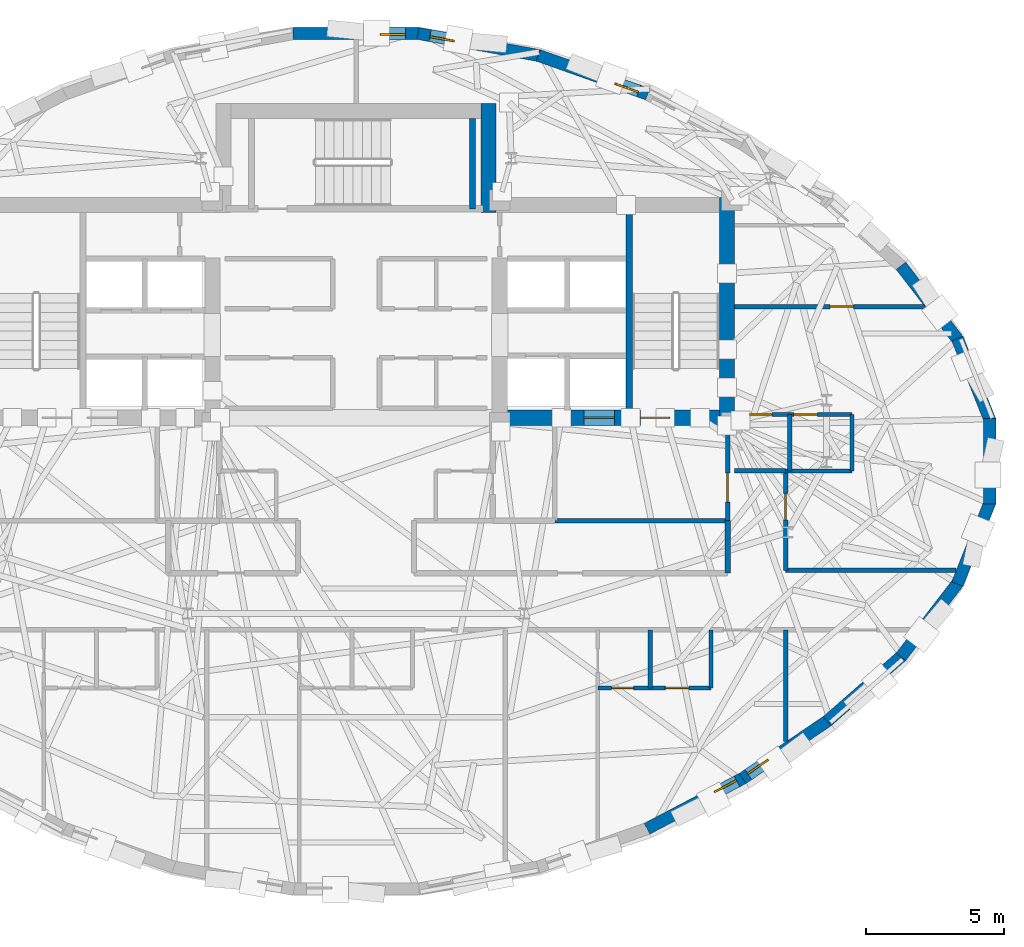
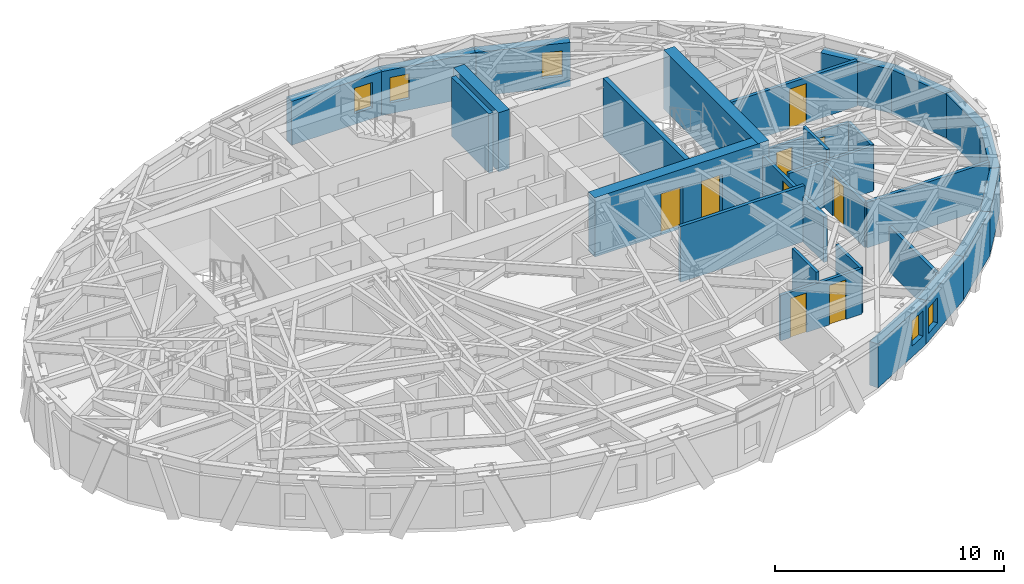
# One storey, part 9 of 13: 31 walls, 9 doors, 5 windows, 14 openings.
"""IFC4 building model written with IfcOpenShell, lengths in metres."""

from ifc_helpers import new_model, si_unit, direction, frame, frame_2d, origin, place, context, subcontext, project, spatial, rectangle, extrude, material, layer, layer_set, type_object, element, fill, save


model = new_model("IFC4")

# Units and contexts
model_context = context("Model", 3, precision=1e-05, world=origin(), true_north=direction((0.0, 1.0)))
body_context = subcontext(model_context, "Body", "Model", "MODEL_VIEW")
ifc_project = project(units=[si_unit("LENGTHUNIT", "METRE"), si_unit("AREAUNIT", "SQUARE_METRE"), si_unit("VOLUMEUNIT", "CUBIC_METRE"), si_unit("PLANEANGLEUNIT", "RADIAN"), si_unit("MASSUNIT", "GRAM", prefix="KILO")], contexts=[model_context])

# Site, building, storey
site_placement = place(None, origin())
site = spatial("IfcSite", under=ifc_project, at=site_placement, CompositionType="ELEMENT")
building_placement = place(site_placement, origin())
building = spatial("IfcBuilding", under=site, at=building_placement, Name="Keldmark Tower", CompositionType="ELEMENT")
storey_placement = place(building_placement, frame((0.0, 0.0, 219.449951171875)))
storey = spatial("IfcBuildingStorey", under=building, at=storey_placement, Name="L61", CompositionType="ELEMENT", Elevation=219.449951171875)

# Walls
ifc_material_1 = material(Name="Heavy Acoustic Plumbing Chase Gypsum Assembly", Category="gypsum")
ifc_layer_1 = layer(ifc_material_1, 0.18994140625)
ifc_layer_set_1 = layer_set([ifc_layer_1], Name="Heavy Acoustic Plumbing Chase Gypsum Assembly")
wall_type_1 = type_object("IfcWallType", Name="Heavy Wet Wall 190 mm", PredefinedType="PLUMBINGWALL", material=ifc_layer_set_1)
wall_1_placement = place(storey_placement, frame((13.449951171875, -4.050048828125, 0.0), z_axis=(0.0, 0.0, 1.0), x_axis=(0.0, 1.0, 0.0)))
element("IfcWall", 1, at=wall_1_placement, inside=storey, type_object=wall_type_1, Name="L61 Heavy Wet Wall 190 mm SPK-E-E", PredefinedType="PLUMBINGWALL", context=body_context, shape_type="SweptSolid", body=[
    extrude(rectangle(XDim=1.900146484375, YDim=0.18994140625, at=frame_2d((0.9501953125, 0.0))), origin(), (0.0, 0.0, 1.0), 2.423095703125),
])
ifc_material_2 = material(Name="Concrete C50/60", Category="concrete")
ifc_layer_2 = layer(ifc_material_2, 0.550048828125)
ifc_layer_set_2 = layer_set([ifc_layer_2], Name="Concrete C50/60")
wall_type_2 = type_object("IfcWallType", Name="High-Rise Core Shear Wall 550 mm", PredefinedType="SHEAR", material=ifc_layer_set_2)
wall_2_placement = place(storey_placement, frame((13.425048828125, 1.300048828125, 0.0), z_axis=(0.0, 0.0, 1.0), x_axis=(0.0, 1.0, 0.0)))
element("IfcWall", 2, at=wall_2_placement, inside=storey, type_object=wall_type_2, Name="L61 East Core Outer Shear Wall", PredefinedType="SHEAR", context=body_context, shape_type="SweptSolid", body=[
    extrude(rectangle(XDim=8.25, YDim=0.550048828125, at=frame_2d((4.125, 0.0))), origin(), (0.0, 0.0, 1.0), 3.150146484375),
])

# Wall, openings, doors
wall_3_placement = place(storey_placement, frame((13.699951171875, 1.574951171875, 0.0), z_axis=(0.0, 0.0, 1.0), x_axis=(-1.0, 0.0, 0.0)))
wall_3 = element("IfcWall", 3, at=wall_3_placement, inside=storey, type_object=wall_type_2, Name="L61 East Core South Shear Wall", PredefinedType="SHEAR", context=body_context, shape_type="SweptSolid", body=[
    extrude(rectangle(XDim=8.77490234375, YDim=0.550048828125, at=frame_2d((4.387451171875, 0.0))), origin(), (0.0, 0.0, 1.0), 3.150146484375),
])
opening_1_placement = place(wall_3_placement, frame((2.35009765625, 0.0, 0.0)))
opening_1 = element("IfcOpeningElement", 4, at=opening_1_placement, cuts=wall_3, Name="Opening D-ST105", PredefinedType="OPENING", context=body_context, shape_type="SweptSolid", body=[
    extrude(rectangle(XDim=1.050048828125, YDim=2.14990234375, at=frame_2d((0.52490234375, 1.074951171875))), frame((0.0, 0.284912109375, 0.0), z_axis=(0.0, -1.0, 0.0), x_axis=(1.0, 0.0, 0.0)), (0.0, 0.0, 1.0), 0.570068359375),
])
opening_2_placement = place(wall_3_placement, frame((4.35009765625, 0.0, 0.0)))
opening_2 = element("IfcOpeningElement", 5, at=opening_2_placement, cuts=wall_3, Name="Opening LD-110", PredefinedType="OPENING", context=body_context, shape_type="SweptSolid", body=[
    extrude(rectangle(XDim=1.10009765625, YDim=2.199951171875, at=frame_2d((0.550048828125, 1.10009765625))), frame((0.0, 0.284912109375, 0.0), z_axis=(0.0, -1.0, 0.0), x_axis=(1.0, 0.0, 0.0)), (0.0, 0.0, 1.0), 0.570068359375),
])
ifc_material_3 = material(Name="Brushed Bronze Hoistway Sliding Leaf", Category="metal")
door_type_1 = type_object("IfcDoorType", Name="Lift Landing Sliding Door 1100x2200", OperationType="SLIDING_TO_LEFT", PredefinedType="DOOR", material=ifc_material_3)
door_1_placement = place(opening_2_placement, origin())
door_1 = element("IfcDoor", 6, at=door_1_placement, inside=storey, type_object=door_type_1, Name="L61 Lift Landing Sliding Door 1100x2200 LD-EL-FS2-L61", OperationType="SLIDING_TO_LEFT", OverallHeight=2.199951171875, OverallWidth=1.10009765625, PredefinedType="DOOR", context=body_context, shape_type="SweptSolid", body=[
    extrude(rectangle(XDim=1.10009765625, YDim=2.199951171875, at=frame_2d((0.550048828125, 1.10009765625))), frame((0.0, 0.02490234375, 0.0), z_axis=(0.0, -1.0, 0.0), x_axis=(1.0, 0.0, 0.0)), (0.0, 0.0, 1.0), 0.050048828125),
])
fill(opening_2, door_1)
ifc_material_4 = material(Name="Hollow Metal Fire-Rated Door Assembly", Category="metal")
door_type_2 = type_object("IfcDoorType", Name="Stair Fire Door 1050x2150", OperationType="NOTDEFINED", PredefinedType="DOOR", material=ifc_material_4)
door_2_placement = place(opening_1_placement, origin())
door_2 = element("IfcDoor", 7, at=door_2_placement, inside=storey, type_object=door_type_2, Name="L61 Stair Fire Door 1050x2150 D-ST2-L61", OperationType="SINGLE_SWING_LEFT", OverallHeight=2.14990234375, OverallWidth=1.050048828125, PredefinedType="DOOR", context=body_context, shape_type="SweptSolid", body=[
    extrude(rectangle(XDim=1.050048828125, YDim=2.14990234375, at=frame_2d((0.52490234375, 1.074951171875))), frame((0.0, 0.02490234375, 0.0), z_axis=(0.0, -1.0, 0.0), x_axis=(1.0, 0.0, 0.0)), (0.0, 0.0, 1.0), 0.050048828125),
])
fill(opening_1, door_2)

# Walls
wall_4_placement = place(storey_placement, frame((4.800048828125, 9.0, 0.0), z_axis=(0.0, 0.0, 1.0), x_axis=(0.0, 1.0, 0.0)))
element("IfcWall", 8, at=wall_4_placement, inside=storey, type_object=wall_type_2, Name="L61 North Core East Shear Wall", PredefinedType="SHEAR", context=body_context, shape_type="SweptSolid", body=[
    extrude(rectangle(XDim=3.949951171875, YDim=0.550048828125, at=frame_2d((1.97509765625, 0.0))), origin(), (0.0, 0.0, 1.0), 3.150146484375),
])
ifc_material_5 = material(Name="Type X Fire-Rated Gypsum Partition Assembly", Category="gypsum")
ifc_layer_3 = layer(ifc_material_5, 0.1650390625)
ifc_layer_set_3 = layer_set([ifc_layer_3], Name="Type X Fire-Rated Gypsum Partition Assembly")
wall_type_3 = type_object("IfcWallType", Name="Rated Partition 165 mm", PredefinedType="PARTITIONING", material=ifc_layer_set_3)
wall_5_placement = place(storey_placement, frame((7.199951171875, -2.14990234375, 0.0), z_axis=(0.0, 0.0, 1.0), x_axis=(1.0, 0.0, 0.0)))
element("IfcWall", 9, at=wall_5_placement, inside=storey, type_object=wall_type_3, Name="L61 Rated Partition 165 mm FSAE-E-S", PredefinedType="PARTITIONING", context=body_context, shape_type="SweptSolid", body=[
    extrude(rectangle(XDim=6.25, YDim=0.1650390625, at=frame_2d((3.125, 0.0))), origin(), (0.0, 0.0, 1.0), 2.969970703125),
])

# Wall, opening, door
wall_6_placement = place(storey_placement, frame((13.449951171875, -2.14990234375, 0.0), z_axis=(0.0, 0.0, 1.0), x_axis=(0.0, 1.0, 0.0)))
wall_6 = element("IfcWall", 10, at=wall_6_placement, inside=storey, type_object=wall_type_3, Name="L61 Rated Partition 165 mm FSAE-E-E", PredefinedType="PARTITIONING", context=body_context, shape_type="SweptSolid", body=[
    extrude(rectangle(XDim=3.5, YDim=0.1650390625, at=frame_2d((1.75, 0.0))), origin(), (0.0, 0.0, 1.0), 2.423095703125),
])
opening_3_placement = place(wall_6_placement, frame((0.669921875, 0.0, 0.0)))
opening_3 = element("IfcOpeningElement", 11, at=opening_3_placement, cuts=wall_6, Name="Opening D-FL105", PredefinedType="OPENING", context=body_context, shape_type="SweptSolid", body=[
    extrude(rectangle(XDim=1.050048828125, YDim=2.14990234375, at=frame_2d((0.52490234375, 1.074951171875))), frame((0.0, 0.092529296875, 0.0), z_axis=(0.0, -1.0, 0.0), x_axis=(1.0, 0.0, 0.0)), (0.0, 0.0, 1.0), 0.18505859375),
])
ifc_material_6 = material(Name="Fire-Rated Mineral-Core Door and Vision Lite", Category="metal")
door_type_3 = type_object("IfcDoorType", Name="Fire Lobby Door 1050x2150", OperationType="NOTDEFINED", PredefinedType="DOOR", material=ifc_material_6)
door_3_placement = place(opening_3_placement, origin())
door_3 = element("IfcDoor", 12, at=door_3_placement, inside=storey, type_object=door_type_3, Name="L61 Fire Lobby Door 1050x2150 D-FSAEE-OUT-L61", OperationType="SINGLE_SWING_RIGHT", OverallHeight=2.14990234375, OverallWidth=1.050048828125, PredefinedType="DOOR", context=body_context, shape_type="SweptSolid", body=[
    extrude(rectangle(XDim=1.050048828125, YDim=2.14990234375, at=frame_2d((0.52490234375, 1.074951171875))), frame((0.0, 0.02490234375, 0.0), z_axis=(0.0, -1.0, 0.0), x_axis=(1.0, 0.0, 0.0)), (0.0, 0.0, 1.0), 0.050048828125),
])
fill(opening_3, door_3)

# Wall
wall_7_placement = place(storey_placement, frame((15.550048828125, -3.949951171875, 0.0), z_axis=(0.0, 0.0, 1.0), x_axis=(1.0, 0.0, 0.0)))
element("IfcWall", 13, at=wall_7_placement, inside=storey, type_object=wall_type_3, Name="L61 Rated Partition 165 mm RCOR-EN-OUT", PredefinedType="PARTITIONING", context=body_context, shape_type="SweptSolid", body=[
    extrude(rectangle(XDim=6.165771484375, YDim=0.1650390625, at=frame_2d((3.0830078125, 0.0))), origin(), (0.0, 0.0, 1.0), 2.423095703125),
])

# Wall, opening, door
wall_8_placement = place(storey_placement, frame((15.550048828125, -3.949951171875, 0.0), z_axis=(0.0, 0.0, 1.0), x_axis=(0.0, 1.0, 0.0)))
wall_8 = element("IfcWall", 14, at=wall_8_placement, inside=storey, type_object=wall_type_3, Name="L61 Rated Partition 165 mm RCOR-VE", PredefinedType="PARTITIONING", context=body_context, shape_type="SweptSolid", body=[
    extrude(rectangle(XDim=3.599853515625, YDim=0.1650390625, at=frame_2d((1.7998046875, 0.0))), origin(), (0.0, 0.0, 1.0), 2.35693359375),
])
opening_4_placement = place(wall_8_placement, frame((1.830078125, 0.0, 0.0)))
opening_4 = element("IfcOpeningElement", 15, at=opening_4_placement, cuts=wall_8, Name="Opening D-AP095", PredefinedType="OPENING", context=body_context, shape_type="SweptSolid", body=[
    extrude(rectangle(XDim=0.949951171875, YDim=2.14990234375, at=frame_2d((0.47509765625, 1.074951171875))), frame((0.0, 0.092529296875, 0.0), z_axis=(0.0, -1.0, 0.0), x_axis=(1.0, 0.0, 0.0)), (0.0, 0.0, 1.0), 0.18505859375),
])
ifc_material_7 = material(Name="Solid-Core Walnut Fire-Rated Entry Assembly", Category="wood")
door_type_4 = type_object("IfcDoorType", Name="Apartment Entry Door 950x2150", OperationType="NOTDEFINED", PredefinedType="DOOR", material=ifc_material_7)
door_4_placement = place(opening_4_placement, origin())
door_4 = element("IfcDoor", 16, at=door_4_placement, inside=storey, type_object=door_type_4, Name="L61 Apartment Entry Door 950x2150 D-UE-ENT-L61", OperationType="SINGLE_SWING_RIGHT", OverallHeight=2.14990234375, OverallWidth=0.949951171875, PredefinedType="DOOR", context=body_context, shape_type="SweptSolid", body=[
    extrude(rectangle(XDim=0.949951171875, YDim=2.14990234375, at=frame_2d((0.47509765625, 1.074951171875))), frame((0.0, 0.02490234375, 0.0), z_axis=(0.0, -1.0, 0.0), x_axis=(1.0, 0.0, 0.0)), (0.0, 0.0, 1.0), 0.050048828125),
])
fill(opening_4, door_4)

# Wall
wall_9_placement = place(storey_placement, frame((13.699951171875, -0.35009765625, 0.0), z_axis=(0.0, 0.0, 1.0), x_axis=(1.0, 0.0, 0.0)))
element("IfcWall", 17, at=wall_9_placement, inside=storey, type_object=wall_type_3, Name="L61 Rated Partition 165 mm RCOR-VEN", PredefinedType="PARTITIONING", context=body_context, shape_type="SweptSolid", body=[
    extrude(rectangle(XDim=1.85009765625, YDim=0.1650390625, at=frame_2d((0.925048828125, 0.0))), origin(), (0.0, 0.0, 1.0), 2.423095703125),
])

# Wall, opening, door
wall_10_placement = place(storey_placement, frame((13.699951171875, 5.60009765625, 0.0), z_axis=(0.0, 0.0, 1.0), x_axis=(1.0, 0.0, 0.0)))
wall_10 = element("IfcWall", 18, at=wall_10_placement, inside=storey, type_object=wall_type_3, Name="L61 Rated Partition 165 mm RE-NDIV", PredefinedType="PARTITIONING", context=body_context, shape_type="SweptSolid", body=[
    extrude(rectangle(XDim=6.87353515625, YDim=0.1650390625, at=frame_2d((3.436767578125, 0.0))), origin(), (0.0, 0.0, 1.0), 2.423095703125),
])
opening_5_placement = place(wall_10_placement, frame((3.4580078125, 0.0, 0.0)))
opening_5 = element("IfcOpeningElement", 19, at=opening_5_placement, cuts=wall_10, Name="Opening D-BR085", PredefinedType="OPENING", context=body_context, shape_type="SweptSolid", body=[
    extrude(rectangle(XDim=0.85009765625, YDim=2.10009765625, at=frame_2d((0.425048828125, 1.050048828125))), frame((0.0, 0.092529296875, 0.0), z_axis=(0.0, -1.0, 0.0), x_axis=(1.0, 0.0, 0.0)), (0.0, 0.0, 1.0), 0.18505859375),
])
ifc_material_8 = material(Name="Solid-Core Stained Walnut Wood", Category="wood")
door_type_5 = type_object("IfcDoorType", Name="Bedroom Door 850x2100", OperationType="NOTDEFINED", PredefinedType="DOOR", material=ifc_material_8)
door_5_placement = place(opening_5_placement, origin())
door_5 = element("IfcDoor", 20, at=door_5_placement, inside=storey, type_object=door_type_5, Name="L61 Bedroom Door 850x2100 D-UE-BR1-L61", OperationType="SINGLE_SWING_LEFT", OverallHeight=2.10009765625, OverallWidth=0.85009765625, PredefinedType="DOOR", context=body_context, shape_type="SweptSolid", body=[
    extrude(rectangle(XDim=0.85009765625, YDim=2.10009765625, at=frame_2d((0.425048828125, 1.050048828125))), frame((0.0, 0.02490234375, 0.0), z_axis=(0.0, -1.0, 0.0), x_axis=(1.0, 0.0, 0.0)), (0.0, 0.0, 1.0), 0.050048828125),
])
fill(opening_5, door_5)

# Walls
wall_11_placement = place(storey_placement, frame((15.550048828125, -10.1494140625, 0.0), z_axis=(0.0, 0.0, 1.0), x_axis=(0.0, 1.0, 0.0)))
element("IfcWall", 21, at=wall_11_placement, inside=storey, type_object=wall_type_3, Name="L61 Rated Partition 165 mm RS-ECAP", PredefinedType="PARTITIONING", context=body_context, shape_type="SweptSolid", body=[
    extrude(rectangle(XDim=4.04931640625, YDim=0.1650390625, at=frame_2d((2.024658203125, 0.0))), origin(), (0.0, 0.0, 1.0), 2.423095703125),
])
ifc_material_9 = material(Name="Concrete C50/60", Category="concrete")
ifc_layer_4 = layer(ifc_material_9, 0.219970703125)
ifc_layer_set_4 = layer_set([ifc_layer_4], Name="Concrete C50/60")
wall_type_4 = type_object("IfcWallType", Name="Stair Core Shear Wall 220 mm", PredefinedType="SHEAR", material=ifc_layer_set_4)
wall_12_placement = place(storey_placement, frame((9.889892578125, 1.85009765625, 0.0), z_axis=(0.0, 0.0, 1.0), x_axis=(0.0, 1.0, 0.0)))
element("IfcWall", 22, at=wall_12_placement, inside=storey, type_object=wall_type_4, Name="L61 East Stair Core Shear Wall", PredefinedType="SHEAR", context=body_context, shape_type="SweptSolid", body=[
    extrude(rectangle(XDim=7.14990234375, YDim=0.219970703125, at=frame_2d((3.574951171875, 0.0))), origin(), (0.0, 0.0, 1.0), 3.150146484375),
])
wall_13_placement = place(storey_placement, frame((4.215087890625, 9.139892578125, 0.0), z_axis=(0.0, 0.0, 1.0), x_axis=(0.0, 1.0, 0.0)))
element("IfcWall", 23, at=wall_13_placement, inside=storey, type_object=wall_type_4, Name="L61 Central Stair Core East Shear Wall", PredefinedType="SHEAR", context=body_context, shape_type="SweptSolid", body=[
    extrude(rectangle(XDim=3.260009765625, YDim=0.219970703125, at=frame_2d((1.6298828125, 0.0))), origin(), (0.0, 0.0, 1.0), 3.150146484375),
])
ifc_material_10 = material(Name="Ironspot Manganese Brick and Kasota Buff Limestone Spandrel Assembly", Category="masonry")
ifc_layer_5 = layer(ifc_material_10, 0.43994140625)
ifc_layer_set_5 = layer_set([ifc_layer_5], Name="Ironspot Manganese Brick and Kasota Buff Limestone Spandrel Assembly")
wall_type_5 = type_object("IfcWallType", Name="Tower Brick Pier and Spandrel Wall 440 mm", PredefinedType="STANDARD", material=ifc_layer_set_5)
wall_14_placement = place(storey_placement, frame((21.76611328125, 4.438232421875, 0.0), z_axis=(0.0, 0.0, 1.0), x_axis=(0.371272350835, -0.928524012347, 0.0)))
element("IfcWall", 24, at=wall_14_placement, inside=storey, type_object=wall_type_5, Name="L61 Exterior Brick and Spandrel Wall 01", PredefinedType="STANDARD", context=body_context, shape_type="SweptSolid", body=[
    extrude(rectangle(XDim=3.20166015625, YDim=0.43994140625, at=frame_2d((1.600830078125, 0.0))), origin(), (0.0, 0.0, 1.0), 2.3359375),
])
wall_15_placement = place(storey_placement, frame((19.72265625, 7.07861328125, 0.0), z_axis=(0.0, 0.0, 1.0), x_axis=(0.61008909013, -0.792332822811, 0.0)))
element("IfcWall", 25, at=wall_15_placement, inside=storey, type_object=wall_type_5, Name="L61 Exterior Brick and Spandrel Wall 02", PredefinedType="STANDARD", context=body_context, shape_type="SweptSolid", body=[
    extrude(rectangle(XDim=3.398681640625, YDim=0.43994140625, at=frame_2d((1.69921875, 0.0))), origin(), (0.0, 0.0, 1.0), 2.3359375),
])

# Wall, opening, window
wall_16_placement = place(storey_placement, frame((6.59130859375, 14.693115234375, 0.0), z_axis=(0.0, 0.0, 1.0), x_axis=(0.942617344196, -0.333875040128, 0.0)))
wall_16 = element("IfcWall", 26, at=wall_16_placement, inside=storey, type_object=wall_type_5, Name="L61 Exterior Brick and Spandrel Wall 06", PredefinedType="STANDARD", context=body_context, shape_type="SweptSolid", body=[
    extrude(rectangle(XDim=4.2119140625, YDim=0.43994140625, at=frame_2d((2.10595703125, 0.0))), origin(), (0.0, 0.0, 1.0), 2.3359375),
])
opening_6_placement = place(wall_16_placement, frame((2.964111328125, 0.0, 0.580078125)))
opening_6 = element("IfcOpeningElement", 27, at=opening_6_placement, cuts=wall_16, Name="Opening W-09", PredefinedType="OPENING", context=body_context, shape_type="SweptSolid", body=[
    extrude(rectangle(XDim=0.89990234375, YDim=1.35009765625, at=frame_2d((0.449951171875, 0.675048828125))), frame((0.0, 0.22998046875, 0.0), z_axis=(0.0, -1.0, 0.0), x_axis=(1.0, 0.0, 0.0)), (0.0, 0.0, 1.0), 0.4599609375),
])
ifc_material_11 = material(Name="Thermally Broken Anodized Aluminum and Triple Low-E Argon Glazing", Category="aluminium")
window_type = type_object("IfcWindowType", Name="Corner Pier Deep-Set Window 900x1350", PartitioningType="SINGLE_PANEL", PredefinedType="WINDOW", material=ifc_material_11)
window_1_placement = place(opening_6_placement, origin())
window_1 = element("IfcWindow", 28, at=window_1_placement, inside=storey, type_object=window_type, Name="L61 Deep-Set Window 06", OverallHeight=1.35009765625, OverallWidth=0.89990234375, PartitioningType="SINGLE_PANEL", PredefinedType="WINDOW", context=body_context, shape_type="SweptSolid", body=[
    extrude(rectangle(XDim=0.89990234375, YDim=1.35009765625, at=frame_2d((0.449951171875, 0.675048828125))), frame((0.0, -0.010009765625, 0.0), z_axis=(0.0, -1.0, 0.0), x_axis=(1.0, 0.0, 0.0)), (0.0, 0.0, 1.0), 0.06005859375),
])
fill(opening_6, window_1)

wall_17_placement = place(storey_placement, frame((2.2412109375, 15.490234375, 0.0), z_axis=(0.0, 0.0, 1.0), x_axis=(0.983508612793, -0.180861296472, 0.0)))
wall_17 = element("IfcWall", 29, at=wall_17_placement, inside=storey, type_object=wall_type_5, Name="L61 Exterior Brick and Spandrel Wall 07", PredefinedType="STANDARD", context=body_context, shape_type="SweptSolid", body=[
    extrude(rectangle(XDim=4.457275390625, YDim=0.43994140625, at=frame_2d((2.228515625, 0.0))), origin(), (0.0, 0.0, 1.0), 2.3359375),
])
opening_7_placement = place(wall_17_placement, frame((0.44677734375, 0.0, 0.580078125)))
opening_7 = element("IfcOpeningElement", 30, at=opening_7_placement, cuts=wall_17, Name="Opening W-09", PredefinedType="OPENING", context=body_context, shape_type="SweptSolid", body=[
    extrude(rectangle(XDim=0.89990234375, YDim=1.35009765625, at=frame_2d((0.449951171875, 0.675048828125))), frame((0.0, 0.22998046875, 0.0), z_axis=(0.0, -1.0, 0.0), x_axis=(1.0, 0.0, 0.0)), (0.0, 0.0, 1.0), 0.4599609375),
])
window_2_placement = place(opening_7_placement, origin())
window_2 = element("IfcWindow", 31, at=window_2_placement, inside=storey, type_object=window_type, Name="L61 Deep-Set Window 07", OverallHeight=1.35009765625, OverallWidth=0.89990234375, PartitioningType="SINGLE_PANEL", PredefinedType="WINDOW", context=body_context, shape_type="SweptSolid", body=[
    extrude(rectangle(XDim=0.89990234375, YDim=1.35009765625, at=frame_2d((0.449951171875, 0.675048828125))), frame((0.0, -0.010009765625, 0.0), z_axis=(0.0, -1.0, 0.0), x_axis=(1.0, 0.0, 0.0)), (0.0, 0.0, 1.0), 0.06005859375),
])
fill(opening_7, window_2)

wall_18_placement = place(storey_placement, frame((-2.281005859375, 15.48681640625, 0.0), z_axis=(0.0, 0.0, 1.0), x_axis=(1.0, 0.0, 0.0)))
wall_18 = element("IfcWall", 32, at=wall_18_placement, inside=storey, type_object=wall_type_5, Name="L61 Exterior Brick and Spandrel Wall 08", PredefinedType="STANDARD", context=body_context, shape_type="SweptSolid", body=[
    extrude(rectangle(XDim=4.56201171875, YDim=0.43994140625, at=frame_2d((2.281005859375, 0.0))), origin(), (0.0, 0.0, 1.0), 2.3359375),
])
opening_8_placement = place(wall_18_placement, frame((3.16552734375, 0.0, 0.580078125)))
opening_8 = element("IfcOpeningElement", 33, at=opening_8_placement, cuts=wall_18, Name="Opening W-09", PredefinedType="OPENING", context=body_context, shape_type="SweptSolid", body=[
    extrude(rectangle(XDim=0.89990234375, YDim=1.35009765625, at=frame_2d((0.449951171875, 0.675048828125))), frame((0.0, 0.22998046875, 0.0), z_axis=(0.0, -1.0, 0.0), x_axis=(1.0, 0.0, 0.0)), (0.0, 0.0, 1.0), 0.4599609375),
])
window_3_placement = place(opening_8_placement, origin())
window_3 = element("IfcWindow", 34, at=window_3_placement, inside=storey, type_object=window_type, Name="L61 Deep-Set Window 08", OverallHeight=1.35009765625, OverallWidth=0.89990234375, PartitioningType="SINGLE_PANEL", PredefinedType="WINDOW", context=body_context, shape_type="SweptSolid", body=[
    extrude(rectangle(XDim=0.89990234375, YDim=1.35009765625, at=frame_2d((0.449951171875, 0.675048828125))), frame((0.0, -0.010009765625, 0.0), z_axis=(0.0, -1.0, 0.0), x_axis=(1.0, 0.0, 0.0)), (0.0, 0.0, 1.0), 0.06005859375),
])
fill(opening_8, window_3)

wall_19_placement = place(storey_placement, frame((14.01220703125, -11.469482421875, 0.0), z_axis=(0.0, 0.0, 1.0), x_axis=(-0.885047506895, -0.465500709493, 0.0)))
wall_19 = element("IfcWall", 35, at=wall_19_placement, inside=storey, type_object=wall_type_5, Name="L61 Exterior Brick and Spandrel Wall 27", PredefinedType="STANDARD", context=body_context, shape_type="SweptSolid", body=[
    extrude(rectangle(XDim=3.931396484375, YDim=0.43994140625, at=frame_2d((1.9658203125, 0.0))), origin(), (0.0, 0.0, 1.0), 2.3359375),
])
opening_9_placement = place(wall_19_placement, frame((0.24951171875, 0.0, 0.580078125)))
opening_9 = element("IfcOpeningElement", 36, at=opening_9_placement, cuts=wall_19, Name="Opening W-09", PredefinedType="OPENING", context=body_context, shape_type="SweptSolid", body=[
    extrude(rectangle(XDim=0.89990234375, YDim=1.35009765625, at=frame_2d((0.449951171875, 0.675048828125))), frame((0.0, 0.22998046875, 0.0), z_axis=(0.0, -1.0, 0.0), x_axis=(1.0, 0.0, 0.0)), (0.0, 0.0, 1.0), 0.4599609375),
])
window_4_placement = place(opening_9_placement, origin())
window_4 = element("IfcWindow", 37, at=window_4_placement, inside=storey, type_object=window_type, Name="L61 Deep-Set Window 27", OverallHeight=1.35009765625, OverallWidth=0.89990234375, PartitioningType="SINGLE_PANEL", PredefinedType="WINDOW", context=body_context, shape_type="SweptSolid", body=[
    extrude(rectangle(XDim=0.89990234375, YDim=1.35009765625, at=frame_2d((0.449951171875, 0.675048828125))), frame((0.0, -0.010009765625, 0.0), z_axis=(0.0, -1.0, 0.0), x_axis=(1.0, 0.0, 0.0)), (0.0, 0.0, 1.0), 0.06005859375),
])
fill(opening_9, window_4)

wall_20_placement = place(storey_placement, frame((17.0751953125, -9.390380859375, 0.0), z_axis=(0.0, 0.0, 1.0), x_axis=(-0.827609463482, -0.56130435234, 0.0)))
wall_20 = element("IfcWall", 38, at=wall_20_placement, inside=storey, type_object=wall_type_5, Name="L61 Exterior Brick and Spandrel Wall 28", PredefinedType="STANDARD", context=body_context, shape_type="SweptSolid", body=[
    extrude(rectangle(XDim=3.7265625, YDim=0.43994140625, at=frame_2d((1.86328125, 0.0))), origin(), (0.0, 0.0, 1.0), 2.3359375),
])
opening_10_placement = place(wall_20_placement, frame((2.576904296875, 0.0, 0.419921875)))
opening_10 = element("IfcOpeningElement", 39, at=opening_10_placement, cuts=wall_20, Name="Opening W-09", PredefinedType="OPENING", context=body_context, shape_type="SweptSolid", body=[
    extrude(rectangle(XDim=0.89990234375, YDim=1.35009765625, at=frame_2d((0.449951171875, 0.675048828125))), frame((0.0, 0.22998046875, 0.0), z_axis=(0.0, -1.0, 0.0), x_axis=(1.0, 0.0, 0.0)), (0.0, 0.0, 1.0), 0.4599609375),
])
window_5_placement = place(opening_10_placement, origin())
window_5 = element("IfcWindow", 40, at=window_5_placement, inside=storey, type_object=window_type, Name="L61 Deep-Set Window 28", OverallHeight=1.35009765625, OverallWidth=0.89990234375, PartitioningType="SINGLE_PANEL", PredefinedType="WINDOW", context=body_context, shape_type="SweptSolid", body=[
    extrude(rectangle(XDim=0.89990234375, YDim=1.35009765625, at=frame_2d((0.449951171875, 0.675048828125))), frame((0.0, -0.010009765625, 0.0), z_axis=(0.0, -1.0, 0.0), x_axis=(1.0, 0.0, 0.0)), (0.0, 0.0, 1.0), 0.06005859375),
])
fill(opening_10, window_5)

# Walls
wall_21_placement = place(storey_placement, frame((19.752197265625, -7.047119140625, 0.0), z_axis=(0.0, 0.0, 1.0), x_axis=(-0.752758077019, -0.658297256172, 0.0)))
element("IfcWall", 41, at=wall_21_placement, inside=storey, type_object=wall_type_5, Name="L61 Exterior Brick and Spandrel Wall 29", PredefinedType="STANDARD", context=body_context, shape_type="SweptSolid", body=[
    extrude(rectangle(XDim=3.584716796875, YDim=0.43994140625, at=frame_2d((1.79248046875, 0.0))), origin(), (0.0, 0.0, 1.0), 2.3359375),
])
wall_22_placement = place(storey_placement, frame((21.796142578125, -4.3857421875, 0.0), z_axis=(0.0, 0.0, 1.0), x_axis=(-0.61008909013, -0.792332822811, 0.0)))
element("IfcWall", 42, at=wall_22_placement, inside=storey, type_object=wall_type_5, Name="L61 Exterior Brick and Spandrel Wall 30", PredefinedType="STANDARD", context=body_context, shape_type="SweptSolid", body=[
    extrude(rectangle(XDim=3.398681640625, YDim=0.43994140625, at=frame_2d((1.69921875, 0.0))), origin(), (0.0, 0.0, 1.0), 2.3359375),
])
wall_23_placement = place(storey_placement, frame((22.954833984375, -1.46533203125, 0.0), z_axis=(0.0, 0.0, 1.0), x_axis=(-0.371272350835, -0.928524012347, 0.0)))
element("IfcWall", 43, at=wall_23_placement, inside=storey, type_object=wall_type_5, Name="L61 Exterior Brick and Spandrel Wall 31", PredefinedType="STANDARD", context=body_context, shape_type="SweptSolid", body=[
    extrude(rectangle(XDim=3.20166015625, YDim=0.43994140625, at=frame_2d((1.600830078125, 0.0))), origin(), (0.0, 0.0, 1.0), 2.3359375),
])
wall_24_placement = place(storey_placement, frame((22.939208984375, 1.547119140625, 0.0), z_axis=(0.0, 0.0, 1.0), x_axis=(0.0, -1.0, 0.0)))
element("IfcWall", 44, at=wall_24_placement, inside=storey, type_object=wall_type_5, Name="L61 Exterior Brick and Spandrel Wall 32", PredefinedType="STANDARD", context=body_context, shape_type="SweptSolid", body=[
    extrude(rectangle(XDim=3.09423828125, YDim=0.43994140625, at=frame_2d((1.547119140625, 0.0))), origin(), (0.0, 0.0, 1.0), 2.3359375),
])

# Wall, openings, doors
ifc_material_12 = material(Name="Moisture-Resistant Gypsum Plumbing Partition", Category="gypsum")
ifc_layer_6 = layer(ifc_material_12, 0.14990234375)
ifc_layer_set_6 = layer_set([ifc_layer_6], Name="Moisture-Resistant Gypsum Plumbing Partition")
wall_type_6 = type_object("IfcWallType", Name="Wet Wall 150 mm", PredefinedType="PLUMBINGWALL", material=ifc_layer_set_6)
wall_25_placement = place(storey_placement, frame((8.75, -8.199951171875, 0.0), z_axis=(0.0, 0.0, 1.0), x_axis=(1.0, 0.0, 0.0)))
wall_25 = element("IfcWall", 45, at=wall_25_placement, inside=storey, type_object=wall_type_6, Name="L61 Wet Wall 150 mm UC-BK-S", PredefinedType="PLUMBINGWALL", context=body_context, shape_type="SweptSolid", body=[
    extrude(rectangle(XDim=4.10009765625, YDim=0.14990234375, at=frame_2d((2.050048828125, 0.0))), origin(), (0.0, 0.0, 1.0), 2.423095703125),
])
opening_11_placement = place(wall_25_placement, frame((0.5, 0.0, 0.0)))
opening_11 = element("IfcOpeningElement", 46, at=opening_11_placement, cuts=wall_25, Name="Opening D-BT080", PredefinedType="OPENING", context=body_context, shape_type="SweptSolid", body=[
    extrude(rectangle(XDim=0.800048828125, YDim=2.10009765625, at=frame_2d((0.39990234375, 1.050048828125))), frame((0.0, 0.0849609375, 0.0), z_axis=(0.0, -1.0, 0.0), x_axis=(1.0, 0.0, 0.0)), (0.0, 0.0, 1.0), 0.169921875),
])
opening_12_placement = place(wall_25_placement, frame((2.449951171875, 0.0, 0.0)))
opening_12 = element("IfcOpeningElement", 47, at=opening_12_placement, cuts=wall_25, Name="Opening D-IN085", PredefinedType="OPENING", context=body_context, shape_type="SweptSolid", body=[
    extrude(rectangle(XDim=0.85009765625, YDim=2.10009765625, at=frame_2d((0.425048828125, 1.050048828125))), frame((0.0, 0.0849609375, 0.0), z_axis=(0.0, -1.0, 0.0), x_axis=(1.0, 0.0, 0.0)), (0.0, 0.0, 1.0), 0.169921875),
])
ifc_material_13 = material(Name="Moisture-Sealed Stained Wood", Category="wood")
door_type_6 = type_object("IfcDoorType", Name="Bathroom Door 800x2100", OperationType="NOTDEFINED", PredefinedType="DOOR", material=ifc_material_13)
door_6_placement = place(opening_11_placement, origin())
door_6 = element("IfcDoor", 48, at=door_6_placement, inside=storey, type_object=door_type_6, Name="L61 Bathroom Door 800x2100 D-UC-BATH-L61", OperationType="SINGLE_SWING_LEFT", OverallHeight=2.10009765625, OverallWidth=0.800048828125, PredefinedType="DOOR", context=body_context, shape_type="SweptSolid", body=[
    extrude(rectangle(XDim=0.800048828125, YDim=2.10009765625, at=frame_2d((0.39990234375, 1.050048828125))), frame((0.0, 0.02490234375, 0.0), z_axis=(0.0, -1.0, 0.0), x_axis=(1.0, 0.0, 0.0)), (0.0, 0.0, 1.0), 0.050048828125),
])
fill(opening_11, door_6)
ifc_material_14 = material(Name="Painted Architectural Wood", Category="wood")
door_type_7 = type_object("IfcDoorType", Name="Interior Door 850x2100", OperationType="NOTDEFINED", PredefinedType="DOOR", material=ifc_material_14)
door_7_placement = place(opening_12_placement, origin())
door_7 = element("IfcDoor", 49, at=door_7_placement, inside=storey, type_object=door_type_7, Name="L61 Interior Door 850x2100 D-UC-KIT-L61", OperationType="SINGLE_SWING_RIGHT", OverallHeight=2.10009765625, OverallWidth=0.85009765625, PredefinedType="DOOR", context=body_context, shape_type="SweptSolid", body=[
    extrude(rectangle(XDim=0.85009765625, YDim=2.10009765625, at=frame_2d((0.425048828125, 1.050048828125))), frame((0.0, 0.02490234375, 0.0), z_axis=(0.0, -1.0, 0.0), x_axis=(1.0, 0.0, 0.0)), (0.0, 0.0, 1.0), 0.050048828125),
])
fill(opening_12, door_7)

# Walls
wall_26_placement = place(storey_placement, frame((10.64990234375, -8.199951171875, 0.0), z_axis=(0.0, 0.0, 1.0), x_axis=(0.0, 1.0, 0.0)))
element("IfcWall", 50, at=wall_26_placement, inside=storey, type_object=wall_type_6, Name="L61 Wet Wall 150 mm UC-BK-M", PredefinedType="PLUMBINGWALL", context=body_context, shape_type="SweptSolid", body=[
    extrude(rectangle(XDim=2.099853515625, YDim=0.14990234375, at=frame_2d((1.0498046875, 0.0))), origin(), (0.0, 0.0, 1.0), 2.969970703125),
])
wall_27_placement = place(storey_placement, frame((12.85009765625, -8.199951171875, 0.0), z_axis=(0.0, 0.0, 1.0), x_axis=(0.0, 1.0, 0.0)))
element("IfcWall", 51, at=wall_27_placement, inside=storey, type_object=wall_type_6, Name="L61 Wet Wall 150 mm UC-BK-E", PredefinedType="PLUMBINGWALL", context=body_context, shape_type="SweptSolid", body=[
    extrude(rectangle(XDim=2.099853515625, YDim=0.14990234375, at=frame_2d((1.0498046875, 0.0))), origin(), (0.0, 0.0, 1.0), 2.423095703125),
])

# Wall, openings, doors
wall_28_placement = place(storey_placement, frame((13.699951171875, 1.699951171875, 0.0), z_axis=(0.0, 0.0, 1.0), x_axis=(1.0, 0.0, 0.0)))
wall_28 = element("IfcWall", 52, at=wall_28_placement, inside=storey, type_object=wall_type_6, Name="L61 Wet Wall 150 mm UE-BK-N", PredefinedType="PLUMBINGWALL", context=body_context, shape_type="SweptSolid", body=[
    extrude(rectangle(XDim=4.25, YDim=0.14990234375, at=frame_2d((2.125, 0.0))), origin(), (0.0, 0.0, 1.0), 2.423095703125),
])
opening_13_placement = place(wall_28_placement, frame((0.550048828125, 0.0, 0.0)))
opening_13 = element("IfcOpeningElement", 53, at=opening_13_placement, cuts=wall_28, Name="Opening D-BT080", PredefinedType="OPENING", context=body_context, shape_type="SweptSolid", body=[
    extrude(rectangle(XDim=0.800048828125, YDim=2.10009765625, at=frame_2d((0.39990234375, 1.050048828125))), frame((0.0, 0.0849609375, 0.0), z_axis=(0.0, -1.0, 0.0), x_axis=(1.0, 0.0, 0.0)), (0.0, 0.0, 1.0), 0.169921875),
])
opening_14_placement = place(wall_28_placement, frame((2.14990234375, 0.0, 0.0)))
opening_14 = element("IfcOpeningElement", 54, at=opening_14_placement, cuts=wall_28, Name="Opening D-IN085", PredefinedType="OPENING", context=body_context, shape_type="SweptSolid", body=[
    extrude(rectangle(XDim=0.85009765625, YDim=2.10009765625, at=frame_2d((0.425048828125, 1.050048828125))), frame((0.0, 0.0849609375, 0.0), z_axis=(0.0, -1.0, 0.0), x_axis=(1.0, 0.0, 0.0)), (0.0, 0.0, 1.0), 0.169921875),
])
door_8_placement = place(opening_13_placement, origin())
door_8 = element("IfcDoor", 55, at=door_8_placement, inside=storey, type_object=door_type_6, Name="L61 Bathroom Door 800x2100 D-UE-BATH-L61", OperationType="SINGLE_SWING_RIGHT", OverallHeight=2.10009765625, OverallWidth=0.800048828125, PredefinedType="DOOR", context=body_context, shape_type="SweptSolid", body=[
    extrude(rectangle(XDim=0.800048828125, YDim=2.10009765625, at=frame_2d((0.39990234375, 1.050048828125))), frame((0.0, 0.02490234375, 0.0), z_axis=(0.0, -1.0, 0.0), x_axis=(1.0, 0.0, 0.0)), (0.0, 0.0, 1.0), 0.050048828125),
])
fill(opening_13, door_8)
door_9_placement = place(opening_14_placement, origin())
door_9 = element("IfcDoor", 56, at=door_9_placement, inside=storey, type_object=door_type_7, Name="L61 Interior Door 850x2100 D-UE-KIT-L61", OperationType="SINGLE_SWING_LEFT", OverallHeight=2.10009765625, OverallWidth=0.85009765625, PredefinedType="DOOR", context=body_context, shape_type="SweptSolid", body=[
    extrude(rectangle(XDim=0.85009765625, YDim=2.10009765625, at=frame_2d((0.425048828125, 1.050048828125))), frame((0.0, 0.02490234375, 0.0), z_axis=(0.0, -1.0, 0.0), x_axis=(1.0, 0.0, 0.0)), (0.0, 0.0, 1.0), 0.050048828125),
])
fill(opening_14, door_9)

# Walls
wall_29_placement = place(storey_placement, frame((15.550048828125, -0.35009765625, 0.0), z_axis=(0.0, 0.0, 1.0), x_axis=(1.0, 0.0, 0.0)))
element("IfcWall", 57, at=wall_29_placement, inside=storey, type_object=wall_type_6, Name="L61 Wet Wall 150 mm UE-BK-S", PredefinedType="PLUMBINGWALL", context=body_context, shape_type="SweptSolid", body=[
    extrude(rectangle(XDim=2.39990234375, YDim=0.14990234375, at=frame_2d((1.199951171875, 0.0))), origin(), (0.0, 0.0, 1.0), 2.423095703125),
])
wall_30_placement = place(storey_placement, frame((15.699951171875, -0.35009765625, 0.0), z_axis=(0.0, 0.0, 1.0), x_axis=(0.0, 1.0, 0.0)))
element("IfcWall", 58, at=wall_30_placement, inside=storey, type_object=wall_type_6, Name="L61 Wet Wall 150 mm UE-BK-M", PredefinedType="PLUMBINGWALL", context=body_context, shape_type="SweptSolid", body=[
    extrude(rectangle(XDim=2.050048828125, YDim=0.14990234375, at=frame_2d((1.02490234375, 0.0))), origin(), (0.0, 0.0, 1.0), 2.969970703125),
])
wall_31_placement = place(storey_placement, frame((17.949951171875, -0.35009765625, 0.0), z_axis=(0.0, 0.0, 1.0), x_axis=(0.0, 1.0, 0.0)))
element("IfcWall", 59, at=wall_31_placement, inside=storey, type_object=wall_type_6, Name="L61 Wet Wall 150 mm UE-BK-OUT", PredefinedType="PLUMBINGWALL", context=body_context, shape_type="SweptSolid", body=[
    extrude(rectangle(XDim=2.050048828125, YDim=0.14990234375, at=frame_2d((1.02490234375, 0.0))), origin(), (0.0, 0.0, 1.0), 2.423095703125),
])

save(model, "model.ifc")
